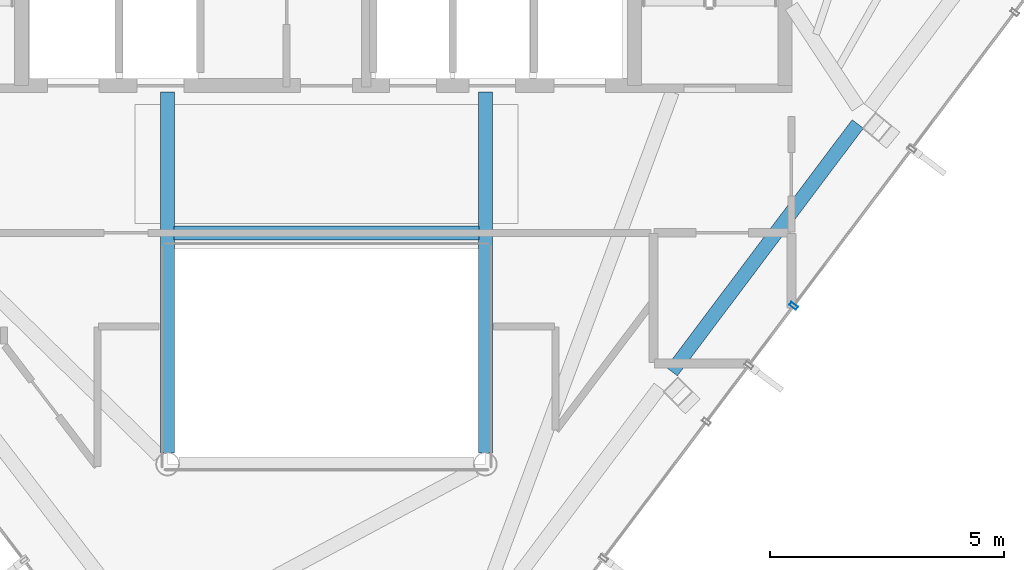
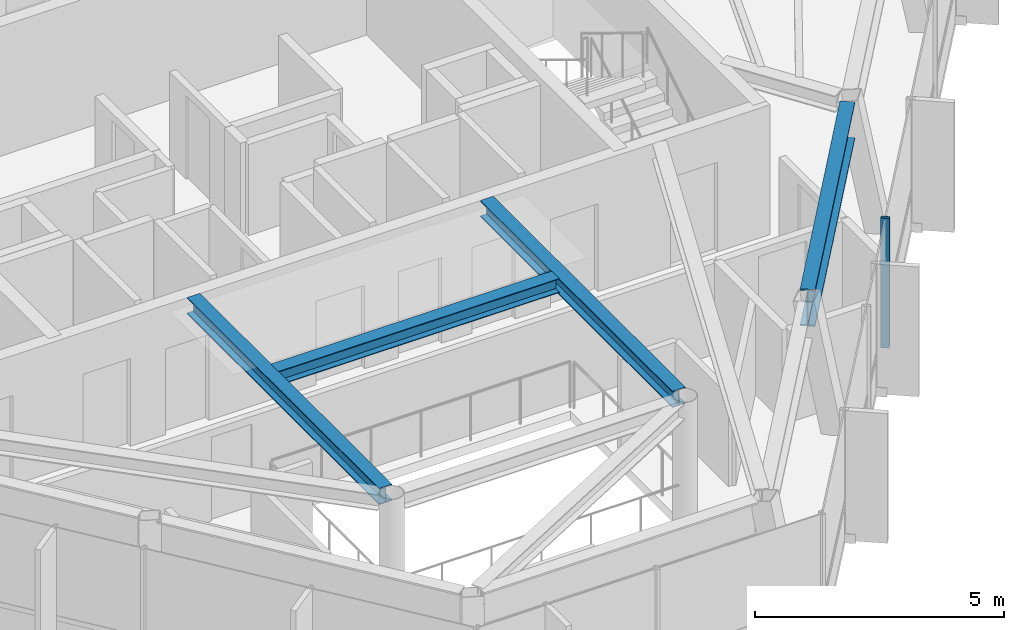
# One storey, part 9 of 22: 4 beams, 1 member, 1 element without a shape of its own.
"""IFC4 building model written with IfcOpenShell, lengths in metres."""

from ifc_helpers import new_model, si_unit, direction, frame, origin, origin_2d, place, context, subcontext, project, spatial, hollow_rectangle, i_section, extrude, material, layer, layer_set, material_profile, profile_set, type_object, element, aggregate, save


model = new_model("IFC4")

# Units and contexts
model_context = context("Model", 3, precision=1e-05, world=origin(), true_north=direction((0.0, 1.0)))
body_context = subcontext(model_context, "Body", "Model", "MODEL_VIEW")
ifc_project = project(units=[si_unit("LENGTHUNIT", "METRE"), si_unit("AREAUNIT", "SQUARE_METRE"), si_unit("VOLUMEUNIT", "CUBIC_METRE"), si_unit("PLANEANGLEUNIT", "RADIAN"), si_unit("MASSUNIT", "GRAM", prefix="KILO")], contexts=[model_context])

# Site, building, storey
site_placement = place(None, origin())
site = spatial("IfcSite", under=ifc_project, at=site_placement, CompositionType="ELEMENT")
building_placement = place(site_placement, origin())
building = spatial("IfcBuilding", under=site, at=building_placement, Name="Zarrinselat Tower", CompositionType="ELEMENT")
storey_placement = place(building_placement, frame((0.0, 0.0, 295.800048828125)))
storey = spatial("IfcBuildingStorey", under=building, at=storey_placement, Name="L76", CompositionType="ELEMENT", Elevation=295.800048828125)

# Beams
ifc_material_1 = material(Name="Steel S355J2", Category="steel")
ifc_material_profile_1 = material_profile(ifc_material_1, i_section(OverallWidth=0.300048828125, OverallDepth=0.35009765625, WebThickness=0.010009765625, FlangeThickness=0.017578125, at=origin_2d()), Name="HEA 360")
ifc_profile_set_1 = profile_set([ifc_material_profile_1], Name="Steel S355J2")
beam_type_1 = type_object("IfcBeamType", Name="BM-HEA360", PredefinedType="LINTEL", material=ifc_profile_set_1)
beam_1_placement = place(storey_placement, frame((35.139892578125, 30.14990234375, 3.0048828125), z_axis=(1.0, 0.0, 0.0), x_axis=(0.0, 1.0, 0.0)))
element("IfcBeam", 1, at=beam_1_placement, inside=storey, type_object=beam_type_1, Name="L76 Lift Lobby Ceiling Beam", PredefinedType="LINTEL", context=body_context, shape_type="SweptSolid", body=[
    extrude(i_section(OverallWidth=0.300048828125, OverallDepth=0.35009765625, WebThickness=0.010009765625, FlangeThickness=0.017578125, at=origin_2d()), origin(), (0.0, 0.0, 1.0), 6.52001953125),
])
ifc_material_2 = material(Name="Steel S355J2", Category="steel")
ifc_material_profile_2 = material_profile(ifc_material_2, i_section(OverallWidth=0.300048828125, OverallDepth=0.39990234375, WebThickness=0.013427734375, FlangeThickness=0.02392578125, at=origin_2d()), Name="HEB 400")
ifc_profile_set_2 = profile_set([ifc_material_profile_2], Name="Steel S355J2")
beam_type_2 = type_object("IfcBeamType", Name="BM-HEB400", PredefinedType="BEAM", material=ifc_profile_set_2)
for number, where, z_axis, x_axis, name in (
    (2, (35.0, 25.43994140625, 2.97998046875), (0.0, 1.0, 0.0), (-1.0, 0.0, 0.0), "L76 Atrium Edge Beam W"),
    (3, (41.800048828125, 25.43994140625, 2.97998046875), (0.0, 1.0, 0.0), (-1.0, 0.0, 0.0), "L76 Atrium Edge Beam E"),
):
    element("IfcBeam", number, at=place(storey_placement, frame(where, z_axis=z_axis, x_axis=x_axis)), inside=storey, type_object=beam_type_2, Name=name, PredefinedType="BEAM", context=body_context, shape_type="SweptSolid", body=[
        extrude(i_section(OverallWidth=0.300048828125, OverallDepth=0.39990234375, WebThickness=0.013427734375, FlangeThickness=0.02392578125, at=origin_2d()), origin(), (0.0, 0.0, 1.0), 7.719970703125),
    ])
ifc_material_3 = material(Name="Steel S460M", Category="steel")
ifc_material_profile_3 = material_profile(ifc_material_3, i_section(OverallWidth=0.302001953125, OverallDepth=0.909912109375, WebThickness=0.02099609375, FlangeThickness=0.0400390625, at=origin_2d()), Name="HEM 900")
ifc_profile_set_3 = profile_set([ifc_material_profile_3], Name="Steel S460M")
beam_type_3 = type_object("IfcBeamType", Name="BM-HEM900", PredefinedType="BEAM", material=ifc_profile_set_3)
beam_2_placement = place(storey_placement, frame((45.7890625, 27.18115234375, 2.724853515625), z_axis=(0.600854389403, 0.799358494504, 0.0), x_axis=(-0.799358494504, 0.600854389403, 0.0)))
element("IfcBeam", 4, at=beam_2_placement, inside=storey, type_object=beam_type_3, Name="L76 Perimeter Spandrel Girder SP12", PredefinedType="BEAM", context=body_context, shape_type="SweptSolid", body=[
    extrude(i_section(OverallWidth=0.302001953125, OverallDepth=0.909912109375, WebThickness=0.02099609375, FlangeThickness=0.0400390625, at=origin_2d()), origin(), (0.0, 0.0, 1.0), 6.626708984375),
])

# Curtain wall, member
ifc_material_4 = material(Name="Extruded Aluminium Alloy EN AW-6063 T6", Category="aluminium")
ifc_layer = layer(ifc_material_4, 0.199951171875)
ifc_layer_set = layer_set([ifc_layer], Name="Extruded Aluminium Alloy EN AW-6063 T6")
curtain_wall_type = type_object("IfcCurtainWallType", Name="CWS-BLADE", PredefinedType="NOTDEFINED", material=ifc_layer_set)
curtain_wall_placement = place(storey_placement, origin())
curtain_wall = element("IfcCurtainWall", 5, at=curtain_wall_placement, inside=storey, type_object=curtain_wall_type, Name="L76 Unitised Curtain Wall CW-L76-E05", PredefinedType="NOTDEFINED")
ifc_material_5 = material(Name="Extruded Aluminium Alloy EN AW-6063 T6", Category="aluminium")
ifc_material_profile_4 = material_profile(ifc_material_5, hollow_rectangle(XDim=0.080078125, YDim=0.179931640625, WallThickness=0.0048828125, at=origin_2d()), Name="RHS 180x80x5")
ifc_profile_set_4 = profile_set([ifc_material_profile_4], Name="Extruded Aluminium Alloy EN AW-6063 T6")
member_type = type_object("IfcMemberType", Name="MEM-CW-MUL", PredefinedType="MULLION", material=ifc_profile_set_4)
member_placement = place(storey_placement, frame((48.39794921875, 28.58544921875, 0.0), z_axis=(0.0, 0.0, 1.0), x_axis=(0.601672649155, 0.798742776655, 0.0)))
member = element("IfcMember", 6, at=member_placement, type_object=member_type, Name="CW-L76-E05 Mullion 4", PredefinedType="MULLION", context=body_context, shape_type="SweptSolid", body=[
    extrude(hollow_rectangle(XDim=0.080078125, YDim=0.179931640625, WallThickness=0.0048828125, at=origin_2d()), origin(), (0.0, 0.0, 1.0), 3.179931640625),
])
aggregate(curtain_wall, [member])

save(model, "model.ifc")
